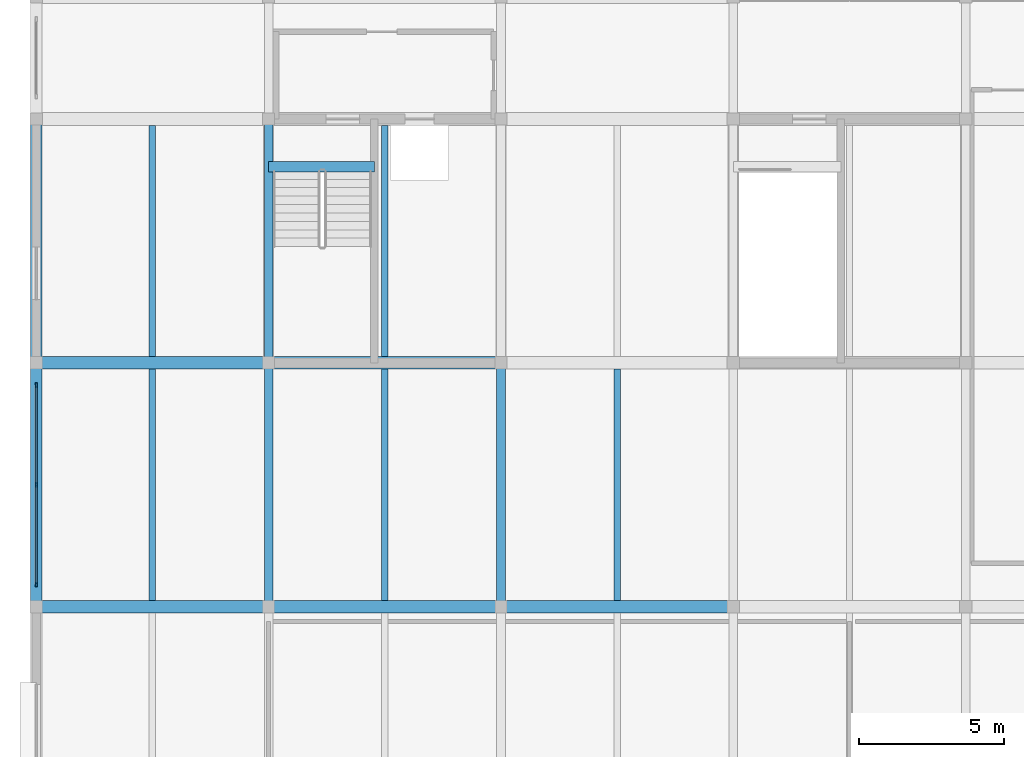
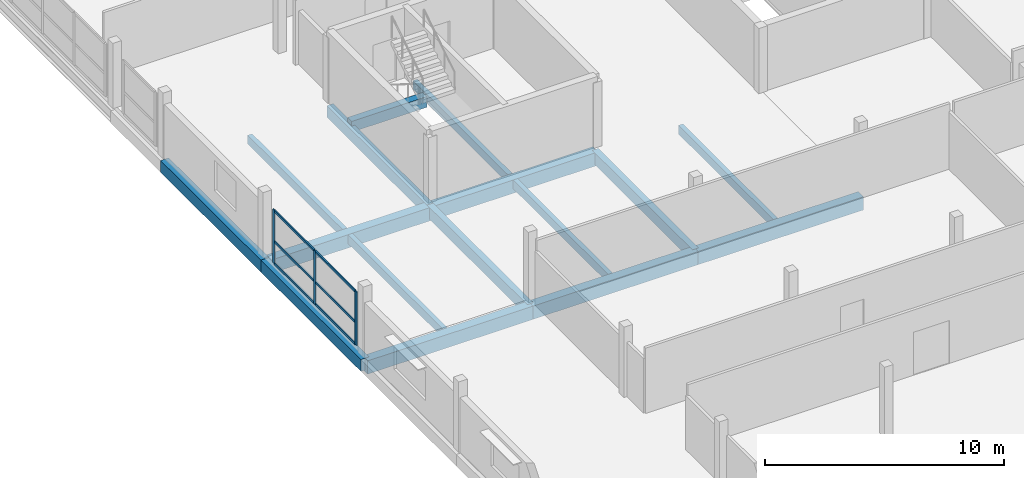
# One storey, part 16 of 51: 16 beams, 9 members, 1 element without a shape of its own.
"""IFC4 building model written with IfcOpenShell, lengths in metres."""

import ifcopenshell
import ifcopenshell.guid

model = None  # the IFC model being written
_history = None  # IfcOwnerHistory: only IFC2X3 demands one
_inside = {}  # id of a spatial element -> (the spatial element, [elements in it])
_under = {}  # id of a project, library or spatial element -> (it, [spatial elements below it])
_declared = {}  # id of a project -> (the project, [libraries it declares])
_typed = {}  # id of a type object -> (the type object, [elements of that type])
_made_of = {}  # id of a material, layer set ... -> (it, [elements and type objects made of it])


def new_model(schema):
    """Start an empty IFC model of exactly this schema.

    Asked for "IFC4X3", IfcOpenShell would pick the latest addendum, in which some entities
    have other attributes; the version numbers below select the first issue.
    IFC2X3 requires an IfcOwnerHistory on every rooted entity: one is made here for all.
    """
    global model, _history
    if schema == "IFC4X3":
        model = ifcopenshell.file(schema_version=(4, 3, 0, 0))
    else:
        model = ifcopenshell.file(schema=schema)
    _inside.clear()
    _under.clear()
    _declared.clear()
    _typed.clear()
    _made_of.clear()
    _history = None
    if model.schema == "IFC2X3":
        org = make("IfcOrganization", Name="unknown")
        user = make(
            "IfcPersonAndOrganization",
            ThePerson=make("IfcPerson", FamilyName="unknown"),
            TheOrganization=org,
        )
        app = make(
            "IfcApplication",
            ApplicationDeveloper=org,
            Version="unknown",
            ApplicationFullName="unknown",
            ApplicationIdentifier="unknown",
        )
        _history = make(
            "IfcOwnerHistory",
            OwningUser=user,
            OwningApplication=app,
            ChangeAction="ADDED",
            CreationDate=0,
        )
    return model


def make(cls, **values):
    """One entity of the class cls with the attributes given. An attribute that is None is left unset."""
    return model.create_entity(
        cls, **{name: value for name, value in values.items() if value is not None}
    )


def rooted(cls, **values):
    """An entity with a GlobalId (a new one), such as an element, a storey or a relation."""
    return make(cls, GlobalId=ifcopenshell.guid.new(), OwnerHistory=_history, **values)


def si_unit(unit_type, name, prefix=None):
    """IfcSIUnit, for example si_unit("LENGTHUNIT", "METRE", prefix="MILLI")."""
    return make("IfcSIUnit", UnitType=unit_type, Prefix=prefix, Name=name)


def assignment(units):
    """IfcUnitAssignment: the units of a project."""
    return None if units is None else make("IfcUnitAssignment", Units=units)


def point(xyz):
    """IfcCartesianPoint."""
    return None if xyz is None else make("IfcCartesianPoint", Coordinates=xyz)


def direction(xyz):
    """IfcDirection."""
    return None if xyz is None else make("IfcDirection", DirectionRatios=xyz)


def frame(location, z_axis=None, x_axis=None):
    """IfcAxis2Placement3D, a coordinate frame: its origin and axes. An axis left out is left unset."""
    return make(
        "IfcAxis2Placement3D",
        Location=point(location),
        Axis=direction(z_axis),
        RefDirection=direction(x_axis),
    )


def frame_2d(location, x_axis=None):
    """IfcAxis2Placement2D, a coordinate frame in the plane: its origin and x axis."""
    return make(
        "IfcAxis2Placement2D", Location=point(location), RefDirection=direction(x_axis)
    )


def origin():
    """The frame at (0, 0, 0) with its axes left unset."""
    return frame((0.0, 0.0, 0.0))


def origin_2d():
    """The frame at (0, 0) in the plane with its x axis left unset."""
    return frame_2d((0.0, 0.0))


def place(relative_to, where):
    """IfcLocalPlacement: puts the frame where relative to a parent placement (None: the world)."""
    return make(
        "IfcLocalPlacement", PlacementRelTo=relative_to, RelativePlacement=where
    )


def context(
    kind, dimensions, precision=None, world=None, true_north=None, identifier=None
):
    """IfcGeometricRepresentationContext, for example the 3D "Model" context."""
    return make(
        "IfcGeometricRepresentationContext",
        ContextIdentifier=identifier,
        ContextType=kind,
        CoordinateSpaceDimension=dimensions,
        Precision=precision,
        WorldCoordinateSystem=world,
        TrueNorth=true_north,
    )


def subcontext(parent, identifier, kind, view, scale=None):
    """IfcGeometricRepresentationSubContext, for example "Body" below "Model"."""
    return make(
        "IfcGeometricRepresentationSubContext",
        ContextIdentifier=identifier,
        ContextType=kind,
        ParentContext=parent,
        TargetScale=scale,
        TargetView=view,
    )


def project(units=None, contexts=None):
    """IfcProject with its units and contexts."""
    return rooted(
        "IfcProject",
        Name="project",
        RepresentationContexts=contexts,
        UnitsInContext=assignment(units),
    )


def spatial(cls, under=None, at=None, **own):
    """A site, building, storey or space (cls), placed at a placement, below another one or the project."""
    s = rooted(cls, ObjectPlacement=at, **own)
    if under is not None:
        _under.setdefault(under.id(), (under, []))[1].append(s)
    return s


def profile(cls, at=None, kind="AREA", **sizes):
    """A parametric profile (cls). Its sizes go by their IFC names, for example OverallWidth=200.0."""
    return make(cls, ProfileType=kind, Position=at, **sizes)


def rectangle(**sizes):
    """IfcRectangleProfileDef."""
    return profile("IfcRectangleProfileDef", **sizes)


def extrude(swept, where, along, depth):
    """IfcExtrudedAreaSolid: the profile swept, set in the frame where, extruded along a direction by depth."""
    return make(
        "IfcExtrudedAreaSolid",
        SweptArea=swept,
        Position=where,
        ExtrudedDirection=direction(along),
        Depth=depth,
    )


def shape(context_of_items, identifier, shape_type, items):
    """IfcShapeRepresentation: the items that make up one representation, for example the "Body"."""
    return make(
        "IfcShapeRepresentation",
        ContextOfItems=context_of_items,
        RepresentationIdentifier=identifier,
        RepresentationType=shape_type,
        Items=items,
    )


def material(Name=None, Category=None):
    """IfcMaterial."""
    return make("IfcMaterial", Name=Name, Category=Category)


def material_profile(
    of_material, cross_section, Name=None, Category=None, Priority=None
):
    """IfcMaterialProfile: a cross section and its material."""
    return make(
        "IfcMaterialProfile",
        Name=Name,
        Material=of_material,
        Profile=cross_section,
        Priority=Priority,
        Category=Category,
    )


def profile_set(profiles, Name=None, composite=None):
    """IfcMaterialProfileSet."""
    return make(
        "IfcMaterialProfileSet",
        Name=Name,
        MaterialProfiles=profiles,
        CompositeProfile=composite,
    )


def made_of(thing, what):
    """Note that an element or type object is made of a material, layer set ...; save() writes the relation."""
    if what is not None:
        _made_of.setdefault(what.id(), (what, []))[1].append(thing)
    return thing


def type_object(cls, material=None, **own):
    """A type object (cls), such as IfcWallType, which elements share."""
    return made_of(rooted(cls, **own), material)


def element(
    cls,
    number,
    at=None,
    inside=None,
    cuts=None,
    type_object=None,
    material=None,
    context=None,
    identifier="Body",
    shape_type=None,
    held_by="IfcProductDefinitionShape",
    body=None,
    shapes=None,
    **own,
):
    """One element of the class cls, such as IfcWall. Its Tag is "e" and its number.

    at: its placement. inside: the storey or other place that contains it. cuts: it is an
    opening in that element (IfcRelVoidsElement). A single representation is given by context,
    identifier, shape_type and body (its items); several are given by shapes. held_by: the class
    of the entity that holds the representations. save() writes the other relations.
    """
    e = rooted(cls, Tag="e%d" % number, ObjectPlacement=at, **own)
    if body is not None:
        shapes = [shape(context, identifier, shape_type, body)]
    if shapes is not None:
        e.Representation = make(held_by, Representations=shapes)
    if inside is not None:
        _inside.setdefault(inside.id(), (inside, []))[1].append(e)
    if cuts is not None:
        rooted(
            "IfcRelVoidsElement", RelatingBuildingElement=cuts, RelatedOpeningElement=e
        )
    if type_object is not None:
        _typed.setdefault(type_object.id(), (type_object, []))[1].append(e)
    return made_of(e, material)


def aggregate(whole, parts):
    """IfcRelAggregates: a whole, such as a stair, and the parts it consists of."""
    return rooted("IfcRelAggregates", RelatingObject=whole, RelatedObjects=parts)


def save(model, path):
    """Write the relations noted so far, then the file.

    IfcRelAggregates (storeys below a building ...), IfcRelContainedInSpatialStructure (elements
    in a storey), IfcRelDefinesByType, IfcRelAssociatesMaterial and IfcRelDeclares: one each for
    every whole, place, type object, material and project.
    """
    for whole, parts in _under.values():
        aggregate(whole, parts)
    for where, things in _inside.values():
        rooted(
            "IfcRelContainedInSpatialStructure",
            RelatedElements=things,
            RelatingStructure=where,
        )
    for kind, things in _typed.values():
        rooted("IfcRelDefinesByType", RelatedObjects=things, RelatingType=kind)
    for what, things in _made_of.values():
        rooted("IfcRelAssociatesMaterial", RelatedObjects=things, RelatingMaterial=what)
    for by, libraries in _declared.values():
        rooted("IfcRelDeclares", RelatingContext=by, RelatedDefinitions=libraries)
    model.write(path)


model = new_model("IFC4")

# Units and contexts
model_context = context("Model", 3, precision=1e-05, world=origin(), true_north=direction((0.0, 1.0)))
body_context = subcontext(model_context, "Body", "Model", "MODEL_VIEW")
ifc_project = project(units=[si_unit("LENGTHUNIT", "METRE"), si_unit("AREAUNIT", "SQUARE_METRE"), si_unit("VOLUMEUNIT", "CUBIC_METRE"), si_unit("PLANEANGLEUNIT", "RADIAN"), si_unit("MASSUNIT", "GRAM", prefix="KILO")], contexts=[model_context])

# Site, building, storey
site_placement = place(None, origin())
site = spatial("IfcSite", under=ifc_project, at=site_placement, CompositionType="ELEMENT")
building_placement = place(site_placement, origin())
building = spatial("IfcBuilding", under=site, at=building_placement, Name="Vharandega Faculty of Natural Sciences", CompositionType="ELEMENT")
storey_placement = place(building_placement, frame((0.0, 0.0, 14.39990234375)))
storey = spatial("IfcBuildingStorey", under=building, at=storey_placement, Name="L03", CompositionType="ELEMENT", Elevation=14.39990234375)

# Curtain wall, members
ifc_material_1 = material(Name="Aluminium and solar-control glass curtain wall", Category="aluminium")
curtain_wall_type = type_object("IfcCurtainWallType", Name="Unitised Curtain Wall System CW-08", PredefinedType="NOTDEFINED", material=ifc_material_1)
curtain_wall_placement = place(storey_placement, origin())
curtain_wall = element("IfcCurtainWall", 1, at=curtain_wall_placement, inside=storey, type_object=curtain_wall_type, Name="Curtain Wall CW-L03-063", PredefinedType="NOTDEFINED")
ifc_material_2 = material(Name="Thermally broken aluminium 6063-T6", Category="aluminium")
ifc_material_profile_1 = material_profile(ifc_material_2, rectangle(XDim=0.06005859375, YDim=0.159912109375, at=origin_2d()), Name="ALU 60x160")
ifc_profile_set_1 = profile_set([ifc_material_profile_1], Name="Thermally broken aluminium 6063-T6")
member_type_1 = type_object("IfcMemberType", Name="CW Mullion 60x160", PredefinedType="MULLION", material=ifc_profile_set_1)
member_1_placement = place(storey_placement, frame((0.0, 64.77001953125, 0.0), z_axis=(0.0, 0.0, 1.0), x_axis=(-1.0, 0.0, 0.0)))
member_1 = element("IfcMember", 2, at=member_1_placement, type_object=member_type_1, Name="CW-08 mullion 1", PredefinedType="MULLION", context=body_context, shape_type="SweptSolid", body=[
    extrude(rectangle(XDim=0.06005859375, YDim=0.159912109375, at=origin_2d()), origin(), (0.0, 0.0, 1.0), 2.739990234375),
])
member_2_placement = place(storey_placement, frame((0.0, 68.199951171875, 0.0), z_axis=(0.0, 0.0, 1.0), x_axis=(-1.0, 0.0, 0.0)))
member_2 = element("IfcMember", 3, at=member_2_placement, type_object=member_type_1, Name="CW-08 mullion 2", PredefinedType="MULLION", context=body_context, shape_type="SweptSolid", body=[
    extrude(rectangle(XDim=0.06005859375, YDim=0.159912109375, at=origin_2d()), origin(), (0.0, 0.0, 1.0), 2.739990234375),
])
member_3_placement = place(storey_placement, frame((0.0, 71.6298828125, 0.0), z_axis=(0.0, 0.0, 1.0), x_axis=(-1.0, 0.0, 0.0)))
member_3 = element("IfcMember", 4, at=member_3_placement, type_object=member_type_1, Name="CW-08 mullion 3", PredefinedType="MULLION", context=body_context, shape_type="SweptSolid", body=[
    extrude(rectangle(XDim=0.06005859375, YDim=0.159912109375, at=origin_2d()), origin(), (0.0, 0.0, 1.0), 2.739990234375),
])
ifc_material_3 = material(Name="Thermally broken aluminium 6063-T6", Category="aluminium")
ifc_material_profile_2 = material_profile(ifc_material_3, rectangle(XDim=0.06005859375, YDim=0.1201171875, at=origin_2d()), Name="ALU 60x120")
ifc_profile_set_2 = profile_set([ifc_material_profile_2], Name="Thermally broken aluminium 6063-T6")
member_type_2 = type_object("IfcMemberType", Name="CW Transom 60x120", PredefinedType="USERDEFINED", material=ifc_profile_set_2)
member_4_placement = place(storey_placement, frame((0.0, 64.800048828125, 0.030029296875), z_axis=(0.0, 1.0, 0.0), x_axis=(-1.0, 0.0, 0.0)))
member_4 = element("IfcMember", 5, at=member_4_placement, type_object=member_type_2, Name="CW-08 transom 1.1", ObjectType="TRANSOM", PredefinedType="USERDEFINED", context=body_context, shape_type="SweptSolid", body=[
    extrude(rectangle(XDim=0.06005859375, YDim=0.1201171875, at=origin_2d()), origin(), (0.0, 0.0, 1.0), 3.369873046875),
])
member_5_placement = place(storey_placement, frame((0.0, 64.800048828125, 1.15087890625), z_axis=(0.0, 1.0, 0.0), x_axis=(-1.0, 0.0, 0.0)))
member_5 = element("IfcMember", 6, at=member_5_placement, type_object=member_type_2, Name="CW-08 transom 1.2", ObjectType="TRANSOM", PredefinedType="USERDEFINED", context=body_context, shape_type="SweptSolid", body=[
    extrude(rectangle(XDim=0.06005859375, YDim=0.1201171875, at=origin_2d()), origin(), (0.0, 0.0, 1.0), 3.369873046875),
])
member_6_placement = place(storey_placement, frame((0.0, 64.800048828125, 2.710205078125), z_axis=(0.0, 1.0, 0.0), x_axis=(-1.0, 0.0, 0.0)))
member_6 = element("IfcMember", 7, at=member_6_placement, type_object=member_type_2, Name="CW-08 transom 1.3", ObjectType="TRANSOM", PredefinedType="USERDEFINED", context=body_context, shape_type="SweptSolid", body=[
    extrude(rectangle(XDim=0.06005859375, YDim=0.1201171875, at=origin_2d()), origin(), (0.0, 0.0, 1.0), 3.369873046875),
])
member_7_placement = place(storey_placement, frame((0.0, 68.22998046875, 0.030029296875), z_axis=(0.0, 1.0, 0.0), x_axis=(-1.0, 0.0, 0.0)))
member_7 = element("IfcMember", 8, at=member_7_placement, type_object=member_type_2, Name="CW-08 transom 2.1", ObjectType="TRANSOM", PredefinedType="USERDEFINED", context=body_context, shape_type="SweptSolid", body=[
    extrude(rectangle(XDim=0.06005859375, YDim=0.1201171875, at=origin_2d()), origin(), (0.0, 0.0, 1.0), 3.3701171875),
])
member_8_placement = place(storey_placement, frame((0.0, 68.22998046875, 1.15087890625), z_axis=(0.0, 1.0, 0.0), x_axis=(-1.0, 0.0, 0.0)))
member_8 = element("IfcMember", 9, at=member_8_placement, type_object=member_type_2, Name="CW-08 transom 2.2", ObjectType="TRANSOM", PredefinedType="USERDEFINED", context=body_context, shape_type="SweptSolid", body=[
    extrude(rectangle(XDim=0.06005859375, YDim=0.1201171875, at=origin_2d()), origin(), (0.0, 0.0, 1.0), 3.3701171875),
])
member_9_placement = place(storey_placement, frame((0.0, 68.22998046875, 2.710205078125), z_axis=(0.0, 1.0, 0.0), x_axis=(-1.0, 0.0, 0.0)))
member_9 = element("IfcMember", 10, at=member_9_placement, type_object=member_type_2, Name="CW-08 transom 2.3", ObjectType="TRANSOM", PredefinedType="USERDEFINED", context=body_context, shape_type="SweptSolid", body=[
    extrude(rectangle(XDim=0.06005859375, YDim=0.1201171875, at=origin_2d()), origin(), (0.0, 0.0, 1.0), 3.3701171875),
])
aggregate(curtain_wall, [member_1, member_2, member_3, member_4, member_5, member_6, member_7, member_8, member_9])

# Beams
ifc_material_4 = material(Name="Glulam GL28h", Category="wood")
ifc_material_profile_3 = material_profile(ifc_material_4, rectangle(XDim=0.300048828125, YDim=0.60009765625, at=origin_2d()), Name="GL28h 300x600")
ifc_profile_set_3 = profile_set([ifc_material_profile_3], Name="Glulam GL28h")
beam_type_1 = type_object("IfcBeamType", Name="Glulam Floor Beam 300x600", PredefinedType="BEAM", material=ifc_profile_set_3)
beam_1_placement = place(storey_placement, frame((8.0, 64.0, -0.539794921875), z_axis=(0.0, 1.0, 0.0), x_axis=(-1.0, 0.0, 0.0)))
element("IfcBeam", 11, at=beam_1_placement, inside=storey, type_object=beam_type_1, Name="Beam L03 2/J-K", PredefinedType="BEAM", context=body_context, shape_type="SweptSolid", body=[
    extrude(rectangle(XDim=0.300048828125, YDim=0.60009765625, at=origin_2d()), origin(), (0.0, 0.0, 1.0), 8.39990234375),
])
beam_2_placement = place(storey_placement, frame((8.0, 72.39990234375, -0.539794921875), z_axis=(0.0, 1.0, 0.0), x_axis=(-1.0, 0.0, 0.0)))
element("IfcBeam", 12, at=beam_2_placement, inside=storey, type_object=beam_type_1, Name="Beam L03 2/K-L", PredefinedType="BEAM", context=body_context, shape_type="SweptSolid", body=[
    extrude(rectangle(XDim=0.300048828125, YDim=0.60009765625, at=origin_2d()), origin(), (0.0, 0.0, 1.0), 8.400146484375),
])
beam_3_placement = place(storey_placement, frame((16.0, 64.0, -0.539794921875), z_axis=(0.0, 1.0, 0.0), x_axis=(-1.0, 0.0, 0.0)))
element("IfcBeam", 13, at=beam_3_placement, inside=storey, type_object=beam_type_1, Name="Beam L03 3/J-K", PredefinedType="BEAM", context=body_context, shape_type="SweptSolid", body=[
    extrude(rectangle(XDim=0.300048828125, YDim=0.60009765625, at=origin_2d()), origin(), (0.0, 0.0, 1.0), 8.39990234375),
])
ifc_material_5 = material(Name="Glulam GL32h", Category="wood")
ifc_material_profile_4 = material_profile(ifc_material_5, rectangle(XDim=0.43994140625, YDim=0.679931640625, at=origin_2d()), Name="GL32h 440x680")
ifc_profile_set_4 = profile_set([ifc_material_profile_4], Name="Glulam GL32h")
beam_type_2 = type_object("IfcBeamType", Name="Glulam Girder 440x680", PredefinedType="BEAM", material=ifc_profile_set_4)
for number, where, z_axis, x_axis, name in (
    (14, (0.0, 64.0, -0.579833984375), (1.0, 0.0, 0.0), (0.0, 1.0, 0.0), "Beam L03 J/1-2"),
    (15, (8.0, 64.0, -0.579833984375), (1.0, 0.0, 0.0), (0.0, 1.0, 0.0), "Beam L03 J/2-3"),
    (16, (16.0, 64.0, -0.579833984375), (1.0, 0.0, 0.0), (0.0, 1.0, 0.0), "Beam L03 J/3-4"),
    (17, (0.0, 72.39990234375, -0.579833984375), (1.0, 0.0, 0.0), (0.0, 1.0, 0.0), "Beam L03 K/1-2"),
    (18, (8.0, 72.39990234375, -0.579833984375), (1.0, 0.0, 0.0), (0.0, 1.0, 0.0), "Beam L03 K/2-3"),
):
    element("IfcBeam", number, at=place(storey_placement, frame(where, z_axis=z_axis, x_axis=x_axis)), inside=storey, type_object=beam_type_2, Name=name, PredefinedType="BEAM", context=body_context, shape_type="SweptSolid", body=[
        extrude(rectangle(XDim=0.43994140625, YDim=0.679931640625, at=origin_2d()), origin(), (0.0, 0.0, 1.0), 8.0),
    ])
ifc_material_6 = material(Name="Glulam GL28h", Category="wood")
ifc_material_profile_5 = material_profile(ifc_material_6, rectangle(XDim=0.219970703125, YDim=0.43994140625, at=origin_2d()), Name="GL28h 220x440")
ifc_profile_set_5 = profile_set([ifc_material_profile_5], Name="Glulam GL28h")
beam_type_3 = type_object("IfcBeamType", Name="Glulam Secondary Joist 220x440", PredefinedType="JOIST", material=ifc_profile_set_5)
for number, where, z_axis, x_axis, name in (
    (19, (4.0, 64.219970703125, -0.4599609375), (0.0, 1.0, 0.0), (-1.0, 0.0, 0.0), "Secondary Joist L03 1-2/J-K"),
    (20, (4.0, 72.6201171875, -0.4599609375), (0.0, 1.0, 0.0), (-1.0, 0.0, 0.0), "Secondary Joist L03 1-2/K-L"),
    (21, (12.0, 64.219970703125, -0.4599609375), (0.0, 1.0, 0.0), (-1.0, 0.0, 0.0), "Secondary Joist L03 2-3/J-K"),
    (22, (12.0, 72.6201171875, -0.4599609375), (0.0, 1.0, 0.0), (-1.0, 0.0, 0.0), "Secondary Joist L03 2-3/K-L"),
    (23, (20.0, 64.219970703125, -0.4599609375), (0.0, 1.0, 0.0), (-1.0, 0.0, 0.0), "Secondary Joist L03 3-4/J-K"),
):
    element("IfcBeam", number, at=place(storey_placement, frame(where, z_axis=z_axis, x_axis=x_axis)), inside=storey, type_object=beam_type_3, Name=name, PredefinedType="JOIST", context=body_context, shape_type="SweptSolid", body=[
        extrude(rectangle(XDim=0.219970703125, YDim=0.43994140625, at=origin_2d()), origin(), (0.0, 0.0, 1.0), 7.9599609375),
    ])
ifc_material_7 = material(Name="Glulam GL32h", Category="wood")
ifc_material_profile_6 = material_profile(ifc_material_7, rectangle(XDim=0.39990234375, YDim=0.60009765625, at=origin_2d()), Name="GL32h 400x600")
ifc_profile_set_6 = profile_set([ifc_material_profile_6], Name="Glulam GL32h")
beam_type_4 = type_object("IfcBeamType", Name="Glulam Spine Girder 400x600", PredefinedType="BEAM", material=ifc_profile_set_6)
beam_4_placement = place(storey_placement, frame((0.0, 64.0, -0.539794921875), z_axis=(0.0, 1.0, 0.0), x_axis=(-1.0, 0.0, 0.0)))
element("IfcBeam", 24, at=beam_4_placement, inside=storey, type_object=beam_type_4, Name="Beam L03 1/J-K", PredefinedType="BEAM", context=body_context, shape_type="SweptSolid", body=[
    extrude(rectangle(XDim=0.39990234375, YDim=0.60009765625, at=origin_2d()), origin(), (0.0, 0.0, 1.0), 8.39990234375),
])
beam_5_placement = place(storey_placement, frame((0.0, 72.39990234375, -0.539794921875), z_axis=(0.0, 1.0, 0.0), x_axis=(-1.0, 0.0, 0.0)))
element("IfcBeam", 25, at=beam_5_placement, inside=storey, type_object=beam_type_4, Name="Beam L03 1/K-L", PredefinedType="BEAM", context=body_context, shape_type="SweptSolid", body=[
    extrude(rectangle(XDim=0.39990234375, YDim=0.60009765625, at=origin_2d()), origin(), (0.0, 0.0, 1.0), 8.400146484375),
])
ifc_material_8 = material(Name="Concrete C40/50", Category="concrete")
ifc_material_profile_7 = material_profile(ifc_material_8, rectangle(XDim=0.35009765625, YDim=0.550048828125, at=origin_2d()), Name="RC 350x550")
ifc_profile_set_7 = profile_set([ifc_material_profile_7], Name="Concrete C40/50")
beam_type_5 = type_object("IfcBeamType", Name="Stair Header Trimmer Beam 350x550", PredefinedType="BEAM", material=ifc_profile_set_7)
beam_6_placement = place(storey_placement, frame((8.0, 79.14990234375, -0.27490234375), z_axis=(1.0, 0.0, 0.0), x_axis=(0.0, 1.0, 0.0)))
element("IfcBeam", 26, at=beam_6_placement, inside=storey, type_object=beam_type_5, Name="Stair Landing Trimmer Beam C4 L03", PredefinedType="BEAM", context=body_context, shape_type="SweptSolid", body=[
    extrude(rectangle(XDim=0.35009765625, YDim=0.550048828125, at=origin_2d()), origin(), (0.0, 0.0, 1.0), 3.639892578125),
])

save(model, "model.ifc")
